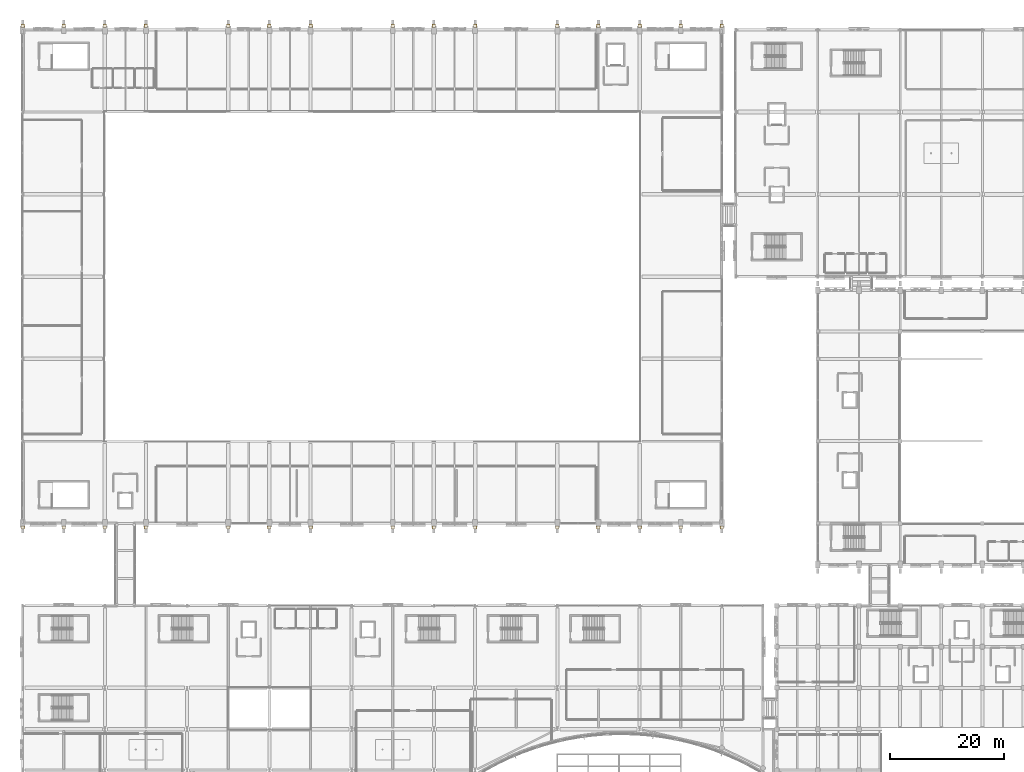
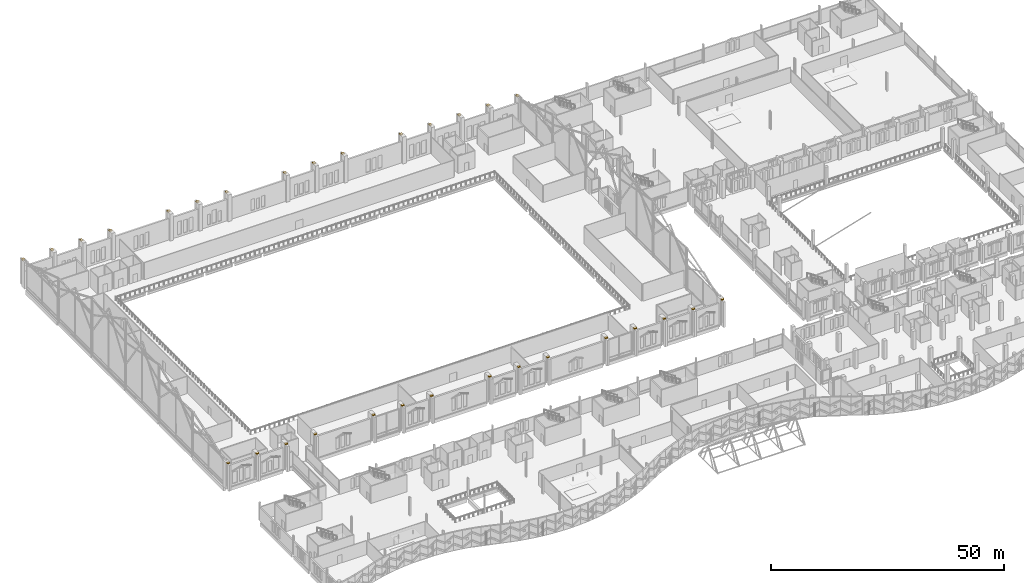
# One storey, part 220 of 220: 30 coverings.
"""IFC4 building model written with IfcOpenShell, lengths in metres."""

import ifcopenshell
import ifcopenshell.guid

model = None  # the IFC model being written
_history = None  # IfcOwnerHistory: only IFC2X3 demands one
_inside = {}  # id of a spatial element -> (the spatial element, [elements in it])
_under = {}  # id of a project, library or spatial element -> (it, [spatial elements below it])
_declared = {}  # id of a project -> (the project, [libraries it declares])
_typed = {}  # id of a type object -> (the type object, [elements of that type])
_made_of = {}  # id of a material, layer set ... -> (it, [elements and type objects made of it])


def new_model(schema):
    """Start an empty IFC model of exactly this schema.

    Asked for "IFC4X3", IfcOpenShell would pick the latest addendum, in which some entities
    have other attributes; the version numbers below select the first issue.
    IFC2X3 requires an IfcOwnerHistory on every rooted entity: one is made here for all.
    """
    global model, _history
    if schema == "IFC4X3":
        model = ifcopenshell.file(schema_version=(4, 3, 0, 0))
    else:
        model = ifcopenshell.file(schema=schema)
    _inside.clear()
    _under.clear()
    _declared.clear()
    _typed.clear()
    _made_of.clear()
    _history = None
    if model.schema == "IFC2X3":
        org = make("IfcOrganization", Name="unknown")
        user = make(
            "IfcPersonAndOrganization",
            ThePerson=make("IfcPerson", FamilyName="unknown"),
            TheOrganization=org,
        )
        app = make(
            "IfcApplication",
            ApplicationDeveloper=org,
            Version="unknown",
            ApplicationFullName="unknown",
            ApplicationIdentifier="unknown",
        )
        _history = make(
            "IfcOwnerHistory",
            OwningUser=user,
            OwningApplication=app,
            ChangeAction="ADDED",
            CreationDate=0,
        )
    return model


def make(cls, **values):
    """One entity of the class cls with the attributes given. An attribute that is None is left unset."""
    return model.create_entity(
        cls, **{name: value for name, value in values.items() if value is not None}
    )


def rooted(cls, **values):
    """An entity with a GlobalId (a new one), such as an element, a storey or a relation."""
    return make(cls, GlobalId=ifcopenshell.guid.new(), OwnerHistory=_history, **values)


def si_unit(unit_type, name, prefix=None):
    """IfcSIUnit, for example si_unit("LENGTHUNIT", "METRE", prefix="MILLI")."""
    return make("IfcSIUnit", UnitType=unit_type, Prefix=prefix, Name=name)


def assignment(units):
    """IfcUnitAssignment: the units of a project."""
    return None if units is None else make("IfcUnitAssignment", Units=units)


def point(xyz):
    """IfcCartesianPoint."""
    return None if xyz is None else make("IfcCartesianPoint", Coordinates=xyz)


def direction(xyz):
    """IfcDirection."""
    return None if xyz is None else make("IfcDirection", DirectionRatios=xyz)


def frame(location, z_axis=None, x_axis=None):
    """IfcAxis2Placement3D, a coordinate frame: its origin and axes. An axis left out is left unset."""
    return make(
        "IfcAxis2Placement3D",
        Location=point(location),
        Axis=direction(z_axis),
        RefDirection=direction(x_axis),
    )


def origin():
    """The frame at (0, 0, 0) with its axes left unset."""
    return frame((0.0, 0.0, 0.0))


def place(relative_to, where):
    """IfcLocalPlacement: puts the frame where relative to a parent placement (None: the world)."""
    return make(
        "IfcLocalPlacement", PlacementRelTo=relative_to, RelativePlacement=where
    )


def context(
    kind, dimensions, precision=None, world=None, true_north=None, identifier=None
):
    """IfcGeometricRepresentationContext, for example the 3D "Model" context."""
    return make(
        "IfcGeometricRepresentationContext",
        ContextIdentifier=identifier,
        ContextType=kind,
        CoordinateSpaceDimension=dimensions,
        Precision=precision,
        WorldCoordinateSystem=world,
        TrueNorth=true_north,
    )


def subcontext(parent, identifier, kind, view, scale=None):
    """IfcGeometricRepresentationSubContext, for example "Body" below "Model"."""
    return make(
        "IfcGeometricRepresentationSubContext",
        ContextIdentifier=identifier,
        ContextType=kind,
        ParentContext=parent,
        TargetScale=scale,
        TargetView=view,
    )


def project(units=None, contexts=None):
    """IfcProject with its units and contexts."""
    return rooted(
        "IfcProject",
        Name="project",
        RepresentationContexts=contexts,
        UnitsInContext=assignment(units),
    )


def spatial(cls, under=None, at=None, **own):
    """A site, building, storey or space (cls), placed at a placement, below another one or the project."""
    s = rooted(cls, ObjectPlacement=at, **own)
    if under is not None:
        _under.setdefault(under.id(), (under, []))[1].append(s)
    return s


def polyline(points):
    """IfcPolyline through the points."""
    return make("IfcPolyline", Points=[point(p) for p in points])


def outline(outer, holes=None, kind="AREA"):
    """IfcArbitraryClosedProfileDef: a profile drawn as a closed curve; with holes, ...WithVoids."""
    if holes is None:
        return make("IfcArbitraryClosedProfileDef", ProfileType=kind, OuterCurve=outer)
    return make(
        "IfcArbitraryProfileDefWithVoids",
        ProfileType=kind,
        OuterCurve=outer,
        InnerCurves=holes,
    )


def extrude(swept, where, along, depth):
    """IfcExtrudedAreaSolid: the profile swept, set in the frame where, extruded along a direction by depth."""
    return make(
        "IfcExtrudedAreaSolid",
        SweptArea=swept,
        Position=where,
        ExtrudedDirection=direction(along),
        Depth=depth,
    )


def shape(context_of_items, identifier, shape_type, items):
    """IfcShapeRepresentation: the items that make up one representation, for example the "Body"."""
    return make(
        "IfcShapeRepresentation",
        ContextOfItems=context_of_items,
        RepresentationIdentifier=identifier,
        RepresentationType=shape_type,
        Items=items,
    )


def material(Name=None, Category=None):
    """IfcMaterial."""
    return make("IfcMaterial", Name=Name, Category=Category)


def layer(
    of_material, thickness, ventilated=None, Name=None, Category=None, Priority=None
):
    """IfcMaterialLayer: one layer of a wall or slab, of a material (None: an air gap)."""
    return make(
        "IfcMaterialLayer",
        Material=of_material,
        LayerThickness=thickness,
        IsVentilated=ventilated,
        Name=Name,
        Category=Category,
        Priority=Priority,
    )


def layer_set(layers, Name=None):
    """IfcMaterialLayerSet."""
    return make("IfcMaterialLayerSet", MaterialLayers=layers, LayerSetName=Name)


def made_of(thing, what):
    """Note that an element or type object is made of a material, layer set ...; save() writes the relation."""
    if what is not None:
        _made_of.setdefault(what.id(), (what, []))[1].append(thing)
    return thing


def type_object(cls, material=None, **own):
    """A type object (cls), such as IfcWallType, which elements share."""
    return made_of(rooted(cls, **own), material)


def element(
    cls,
    number,
    at=None,
    inside=None,
    cuts=None,
    type_object=None,
    material=None,
    context=None,
    identifier="Body",
    shape_type=None,
    held_by="IfcProductDefinitionShape",
    body=None,
    shapes=None,
    **own,
):
    """One element of the class cls, such as IfcWall. Its Tag is "e" and its number.

    at: its placement. inside: the storey or other place that contains it. cuts: it is an
    opening in that element (IfcRelVoidsElement). A single representation is given by context,
    identifier, shape_type and body (its items); several are given by shapes. held_by: the class
    of the entity that holds the representations. save() writes the other relations.
    """
    e = rooted(cls, Tag="e%d" % number, ObjectPlacement=at, **own)
    if body is not None:
        shapes = [shape(context, identifier, shape_type, body)]
    if shapes is not None:
        e.Representation = make(held_by, Representations=shapes)
    if inside is not None:
        _inside.setdefault(inside.id(), (inside, []))[1].append(e)
    if cuts is not None:
        rooted(
            "IfcRelVoidsElement", RelatingBuildingElement=cuts, RelatedOpeningElement=e
        )
    if type_object is not None:
        _typed.setdefault(type_object.id(), (type_object, []))[1].append(e)
    return made_of(e, material)


def aggregate(whole, parts):
    """IfcRelAggregates: a whole, such as a stair, and the parts it consists of."""
    return rooted("IfcRelAggregates", RelatingObject=whole, RelatedObjects=parts)


def save(model, path):
    """Write the relations noted so far, then the file.

    IfcRelAggregates (storeys below a building ...), IfcRelContainedInSpatialStructure (elements
    in a storey), IfcRelDefinesByType, IfcRelAssociatesMaterial and IfcRelDeclares: one each for
    every whole, place, type object, material and project.
    """
    for whole, parts in _under.values():
        aggregate(whole, parts)
    for where, things in _inside.values():
        rooted(
            "IfcRelContainedInSpatialStructure",
            RelatedElements=things,
            RelatingStructure=where,
        )
    for kind, things in _typed.values():
        rooted("IfcRelDefinesByType", RelatedObjects=things, RelatingType=kind)
    for what, things in _made_of.values():
        rooted("IfcRelAssociatesMaterial", RelatedObjects=things, RelatingMaterial=what)
    for by, libraries in _declared.values():
        rooted("IfcRelDeclares", RelatingContext=by, RelatedDefinitions=libraries)
    model.write(path)


model = new_model("IFC4")

# Units and contexts
model_context = context("Model", 3, precision=1e-05, world=origin(), true_north=direction((0.0, 1.0)))
body_context = subcontext(model_context, "Body", "Model", "MODEL_VIEW")
ifc_project = project(units=[si_unit("LENGTHUNIT", "METRE"), si_unit("AREAUNIT", "SQUARE_METRE"), si_unit("VOLUMEUNIT", "CUBIC_METRE"), si_unit("PLANEANGLEUNIT", "RADIAN"), si_unit("MASSUNIT", "GRAM", prefix="KILO")], contexts=[model_context])

# Site, building, storey
site_placement = place(None, origin())
site = spatial("IfcSite", under=ifc_project, at=site_placement, CompositionType="ELEMENT")
building_placement = place(site_placement, origin())
building = spatial("IfcBuilding", under=site, at=building_placement, Name="Cendralis Lancet Convention Centre", CompositionType="ELEMENT")
storey_placement = place(building_placement, frame((0.0, 0.0, 5.39990234375)))
storey = spatial("IfcBuildingStorey", under=building, at=storey_placement, Name="L01", CompositionType="ELEMENT", Elevation=5.39990234375)

# Coverings
ifc_material = material(Name="Dark Andean slate chevron cassette", Category="masonry")
ifc_layer = layer(ifc_material, 0.06005859375, Name="Dark Andean slate chevron cassette")
ifc_layer_set = layer_set([ifc_layer], Name="Dark Andean slate chevron cassette")
covering_type = type_object("IfcCoveringType", Name="ARC-CV-CLAD2", PredefinedType="CLADDING", material=ifc_layer_set)
covering_1_placement = place(storey_placement, frame((0.0, 0.0, 6.7001953125)))
element("IfcCovering", 1, at=covering_1_placement, inside=storey, type_object=covering_type, Name="Gothic Buttress Slate Pinnacle Cap #0001", PredefinedType="CLADDING", context=body_context, shape_type="SweptSolid", body=[
    extrude(outline(polyline([(-0.31005859375, 49.389892578125), (0.31005859375, 49.389892578125), (0.31005859375, 49.97998046875), (-0.31005859375, 49.97998046875), (-0.31005859375, 49.389892578125)])), origin(), (0.0, 0.0, 1.0), 0.260009765625),
])
covering_2_placement = place(storey_placement, frame((0.0, 0.0, 6.7001953125)))
element("IfcCovering", 2, at=covering_2_placement, inside=storey, type_object=covering_type, Name="Gothic Buttress Slate Pinnacle Cap #0002", PredefinedType="CLADDING", context=body_context, shape_type="SweptSolid", body=[
    extrude(outline(polyline([(0.31005859375, 137.81005859375), (-0.31005859375, 137.81005859375), (-0.31005859375, 137.219970703125), (0.31005859375, 137.219970703125), (0.31005859375, 137.81005859375)])), origin(), (0.0, 0.0, 1.0), 0.260009765625),
])
covering_3_placement = place(storey_placement, frame((0.0, 0.0, 6.7001953125)))
element("IfcCovering", 3, at=covering_3_placement, inside=storey, type_object=covering_type, Name="Gothic Buttress Slate Pinnacle Cap #0003", PredefinedType="CLADDING", context=body_context, shape_type="SweptSolid", body=[
    extrude(outline(polyline([(6.889892578125, 49.389892578125), (7.510009765625, 49.389892578125), (7.510009765625, 49.97998046875), (6.889892578125, 49.97998046875), (6.889892578125, 49.389892578125)])), origin(), (0.0, 0.0, 1.0), 0.260009765625),
])
covering_4_placement = place(storey_placement, frame((0.0, 0.0, 6.7001953125)))
element("IfcCovering", 4, at=covering_4_placement, inside=storey, type_object=covering_type, Name="Gothic Buttress Slate Pinnacle Cap #0004", PredefinedType="CLADDING", context=body_context, shape_type="SweptSolid", body=[
    extrude(outline(polyline([(7.510009765625, 137.81005859375), (6.889892578125, 137.81005859375), (6.889892578125, 137.219970703125), (7.510009765625, 137.219970703125), (7.510009765625, 137.81005859375)])), origin(), (0.0, 0.0, 1.0), 0.260009765625),
])
covering_5_placement = place(storey_placement, frame((0.0, 0.0, 6.7001953125)))
element("IfcCovering", 5, at=covering_5_placement, inside=storey, type_object=covering_type, Name="Gothic Buttress Slate Pinnacle Cap #0005", PredefinedType="CLADDING", context=body_context, shape_type="SweptSolid", body=[
    extrude(outline(polyline([(14.090087890625, 49.389892578125), (14.7099609375, 49.389892578125), (14.7099609375, 49.97998046875), (14.090087890625, 49.97998046875), (14.090087890625, 49.389892578125)])), origin(), (0.0, 0.0, 1.0), 0.260009765625),
])
covering_6_placement = place(storey_placement, frame((0.0, 0.0, 6.7001953125)))
element("IfcCovering", 6, at=covering_6_placement, inside=storey, type_object=covering_type, Name="Gothic Buttress Slate Pinnacle Cap #0006", PredefinedType="CLADDING", context=body_context, shape_type="SweptSolid", body=[
    extrude(outline(polyline([(14.7099609375, 137.81005859375), (14.090087890625, 137.81005859375), (14.090087890625, 137.219970703125), (14.7099609375, 137.219970703125), (14.7099609375, 137.81005859375)])), origin(), (0.0, 0.0, 1.0), 0.260009765625),
])
covering_7_placement = place(storey_placement, frame((0.0, 0.0, 6.7001953125)))
element("IfcCovering", 7, at=covering_7_placement, inside=storey, type_object=covering_type, Name="Gothic Buttress Slate Pinnacle Cap #0007", PredefinedType="CLADDING", context=body_context, shape_type="SweptSolid", body=[
    extrude(outline(polyline([(21.2900390625, 49.389892578125), (21.909912109375, 49.389892578125), (21.909912109375, 49.97998046875), (21.2900390625, 49.97998046875), (21.2900390625, 49.389892578125)])), origin(), (0.0, 0.0, 1.0), 0.260009765625),
])
covering_8_placement = place(storey_placement, frame((0.0, 0.0, 6.7001953125)))
element("IfcCovering", 8, at=covering_8_placement, inside=storey, type_object=covering_type, Name="Gothic Buttress Slate Pinnacle Cap #0008", PredefinedType="CLADDING", context=body_context, shape_type="SweptSolid", body=[
    extrude(outline(polyline([(21.909912109375, 137.81005859375), (21.2900390625, 137.81005859375), (21.2900390625, 137.219970703125), (21.909912109375, 137.219970703125), (21.909912109375, 137.81005859375)])), origin(), (0.0, 0.0, 1.0), 0.260009765625),
])
covering_9_placement = place(storey_placement, frame((0.0, 0.0, 6.7001953125)))
element("IfcCovering", 9, at=covering_9_placement, inside=storey, type_object=covering_type, Name="Gothic Buttress Slate Pinnacle Cap #0009", PredefinedType="CLADDING", context=body_context, shape_type="SweptSolid", body=[
    extrude(outline(polyline([(35.68994140625, 49.389892578125), (36.31005859375, 49.389892578125), (36.31005859375, 49.97998046875), (35.68994140625, 49.97998046875), (35.68994140625, 49.389892578125)])), origin(), (0.0, 0.0, 1.0), 0.260009765625),
])
covering_10_placement = place(storey_placement, frame((0.0, 0.0, 6.7001953125)))
element("IfcCovering", 10, at=covering_10_placement, inside=storey, type_object=covering_type, Name="Gothic Buttress Slate Pinnacle Cap #0010", PredefinedType="CLADDING", context=body_context, shape_type="SweptSolid", body=[
    extrude(outline(polyline([(36.31005859375, 137.81005859375), (35.68994140625, 137.81005859375), (35.68994140625, 137.219970703125), (36.31005859375, 137.219970703125), (36.31005859375, 137.81005859375)])), origin(), (0.0, 0.0, 1.0), 0.260009765625),
])
covering_11_placement = place(storey_placement, frame((0.0, 0.0, 6.7001953125)))
element("IfcCovering", 11, at=covering_11_placement, inside=storey, type_object=covering_type, Name="Gothic Buttress Slate Pinnacle Cap #0011", PredefinedType="CLADDING", context=body_context, shape_type="SweptSolid", body=[
    extrude(outline(polyline([(42.889892578125, 49.389892578125), (43.510009765625, 49.389892578125), (43.510009765625, 49.97998046875), (42.889892578125, 49.97998046875), (42.889892578125, 49.389892578125)])), origin(), (0.0, 0.0, 1.0), 0.260009765625),
])
covering_12_placement = place(storey_placement, frame((0.0, 0.0, 6.7001953125)))
element("IfcCovering", 12, at=covering_12_placement, inside=storey, type_object=covering_type, Name="Gothic Buttress Slate Pinnacle Cap #0012", PredefinedType="CLADDING", context=body_context, shape_type="SweptSolid", body=[
    extrude(outline(polyline([(43.510009765625, 137.81005859375), (42.889892578125, 137.81005859375), (42.889892578125, 137.219970703125), (43.510009765625, 137.219970703125), (43.510009765625, 137.81005859375)])), origin(), (0.0, 0.0, 1.0), 0.260009765625),
])
covering_13_placement = place(storey_placement, frame((0.0, 0.0, 6.7001953125)))
element("IfcCovering", 13, at=covering_13_placement, inside=storey, type_object=covering_type, Name="Gothic Buttress Slate Pinnacle Cap #0013", PredefinedType="CLADDING", context=body_context, shape_type="SweptSolid", body=[
    extrude(outline(polyline([(50.090087890625, 49.389892578125), (50.7099609375, 49.389892578125), (50.7099609375, 49.97998046875), (50.090087890625, 49.97998046875), (50.090087890625, 49.389892578125)])), origin(), (0.0, 0.0, 1.0), 0.260009765625),
])
covering_14_placement = place(storey_placement, frame((0.0, 0.0, 6.7001953125)))
element("IfcCovering", 14, at=covering_14_placement, inside=storey, type_object=covering_type, Name="Gothic Buttress Slate Pinnacle Cap #0014", PredefinedType="CLADDING", context=body_context, shape_type="SweptSolid", body=[
    extrude(outline(polyline([(50.7099609375, 137.81005859375), (50.090087890625, 137.81005859375), (50.090087890625, 137.219970703125), (50.7099609375, 137.219970703125), (50.7099609375, 137.81005859375)])), origin(), (0.0, 0.0, 1.0), 0.260009765625),
])
covering_15_placement = place(storey_placement, frame((0.0, 0.0, 6.7001953125)))
element("IfcCovering", 15, at=covering_15_placement, inside=storey, type_object=covering_type, Name="Gothic Buttress Slate Pinnacle Cap #0015", PredefinedType="CLADDING", context=body_context, shape_type="SweptSolid", body=[
    extrude(outline(polyline([(64.489990234375, 49.389892578125), (65.110107421875, 49.389892578125), (65.110107421875, 49.97998046875), (64.489990234375, 49.97998046875), (64.489990234375, 49.389892578125)])), origin(), (0.0, 0.0, 1.0), 0.260009765625),
])
covering_16_placement = place(storey_placement, frame((0.0, 0.0, 6.7001953125)))
element("IfcCovering", 16, at=covering_16_placement, inside=storey, type_object=covering_type, Name="Gothic Buttress Slate Pinnacle Cap #0016", PredefinedType="CLADDING", context=body_context, shape_type="SweptSolid", body=[
    extrude(outline(polyline([(65.110107421875, 137.81005859375), (64.489990234375, 137.81005859375), (64.489990234375, 137.219970703125), (65.110107421875, 137.219970703125), (65.110107421875, 137.81005859375)])), origin(), (0.0, 0.0, 1.0), 0.260009765625),
])
covering_17_placement = place(storey_placement, frame((0.0, 0.0, 6.7001953125)))
element("IfcCovering", 17, at=covering_17_placement, inside=storey, type_object=covering_type, Name="Gothic Buttress Slate Pinnacle Cap #0017", PredefinedType="CLADDING", context=body_context, shape_type="SweptSolid", body=[
    extrude(outline(polyline([(71.68994140625, 49.389892578125), (72.31005859375, 49.389892578125), (72.31005859375, 49.97998046875), (71.68994140625, 49.97998046875), (71.68994140625, 49.389892578125)])), origin(), (0.0, 0.0, 1.0), 0.260009765625),
])
covering_18_placement = place(storey_placement, frame((0.0, 0.0, 6.7001953125)))
element("IfcCovering", 18, at=covering_18_placement, inside=storey, type_object=covering_type, Name="Gothic Buttress Slate Pinnacle Cap #0018", PredefinedType="CLADDING", context=body_context, shape_type="SweptSolid", body=[
    extrude(outline(polyline([(72.31005859375, 137.81005859375), (71.68994140625, 137.81005859375), (71.68994140625, 137.219970703125), (72.31005859375, 137.219970703125), (72.31005859375, 137.81005859375)])), origin(), (0.0, 0.0, 1.0), 0.260009765625),
])
covering_19_placement = place(storey_placement, frame((0.0, 0.0, 6.7001953125)))
element("IfcCovering", 19, at=covering_19_placement, inside=storey, type_object=covering_type, Name="Gothic Buttress Slate Pinnacle Cap #0019", PredefinedType="CLADDING", context=body_context, shape_type="SweptSolid", body=[
    extrude(outline(polyline([(78.889892578125, 49.389892578125), (79.510009765625, 49.389892578125), (79.510009765625, 49.97998046875), (78.889892578125, 49.97998046875), (78.889892578125, 49.389892578125)])), origin(), (0.0, 0.0, 1.0), 0.260009765625),
])
covering_20_placement = place(storey_placement, frame((0.0, 0.0, 6.7001953125)))
element("IfcCovering", 20, at=covering_20_placement, inside=storey, type_object=covering_type, Name="Gothic Buttress Slate Pinnacle Cap #0020", PredefinedType="CLADDING", context=body_context, shape_type="SweptSolid", body=[
    extrude(outline(polyline([(79.510009765625, 137.81005859375), (78.889892578125, 137.81005859375), (78.889892578125, 137.219970703125), (79.510009765625, 137.219970703125), (79.510009765625, 137.81005859375)])), origin(), (0.0, 0.0, 1.0), 0.260009765625),
])
covering_21_placement = place(storey_placement, frame((0.0, 0.0, 6.7001953125)))
element("IfcCovering", 21, at=covering_21_placement, inside=storey, type_object=covering_type, Name="Gothic Buttress Slate Pinnacle Cap #0021", PredefinedType="CLADDING", context=body_context, shape_type="SweptSolid", body=[
    extrude(outline(polyline([(93.2900390625, 49.389892578125), (93.909912109375, 49.389892578125), (93.909912109375, 49.97998046875), (93.2900390625, 49.97998046875), (93.2900390625, 49.389892578125)])), origin(), (0.0, 0.0, 1.0), 0.260009765625),
])
covering_22_placement = place(storey_placement, frame((0.0, 0.0, 6.7001953125)))
element("IfcCovering", 22, at=covering_22_placement, inside=storey, type_object=covering_type, Name="Gothic Buttress Slate Pinnacle Cap #0022", PredefinedType="CLADDING", context=body_context, shape_type="SweptSolid", body=[
    extrude(outline(polyline([(93.909912109375, 137.81005859375), (93.2900390625, 137.81005859375), (93.2900390625, 137.219970703125), (93.909912109375, 137.219970703125), (93.909912109375, 137.81005859375)])), origin(), (0.0, 0.0, 1.0), 0.260009765625),
])
covering_23_placement = place(storey_placement, frame((0.0, 0.0, 6.7001953125)))
element("IfcCovering", 23, at=covering_23_placement, inside=storey, type_object=covering_type, Name="Gothic Buttress Slate Pinnacle Cap #0023", PredefinedType="CLADDING", context=body_context, shape_type="SweptSolid", body=[
    extrude(outline(polyline([(100.489990234375, 49.389892578125), (101.110107421875, 49.389892578125), (101.110107421875, 49.97998046875), (100.489990234375, 49.97998046875), (100.489990234375, 49.389892578125)])), origin(), (0.0, 0.0, 1.0), 0.260009765625),
])
covering_24_placement = place(storey_placement, frame((0.0, 0.0, 6.7001953125)))
element("IfcCovering", 24, at=covering_24_placement, inside=storey, type_object=covering_type, Name="Gothic Buttress Slate Pinnacle Cap #0024", PredefinedType="CLADDING", context=body_context, shape_type="SweptSolid", body=[
    extrude(outline(polyline([(101.110107421875, 137.81005859375), (100.489990234375, 137.81005859375), (100.489990234375, 137.219970703125), (101.110107421875, 137.219970703125), (101.110107421875, 137.81005859375)])), origin(), (0.0, 0.0, 1.0), 0.260009765625),
])
covering_25_placement = place(storey_placement, frame((0.0, 0.0, 6.7001953125)))
element("IfcCovering", 25, at=covering_25_placement, inside=storey, type_object=covering_type, Name="Gothic Buttress Slate Pinnacle Cap #0025", PredefinedType="CLADDING", context=body_context, shape_type="SweptSolid", body=[
    extrude(outline(polyline([(107.68994140625, 49.389892578125), (108.31005859375, 49.389892578125), (108.31005859375, 49.97998046875), (107.68994140625, 49.97998046875), (107.68994140625, 49.389892578125)])), origin(), (0.0, 0.0, 1.0), 0.260009765625),
])
covering_26_placement = place(storey_placement, frame((0.0, 0.0, 6.7001953125)))
element("IfcCovering", 26, at=covering_26_placement, inside=storey, type_object=covering_type, Name="Gothic Buttress Slate Pinnacle Cap #0026", PredefinedType="CLADDING", context=body_context, shape_type="SweptSolid", body=[
    extrude(outline(polyline([(108.31005859375, 137.81005859375), (107.68994140625, 137.81005859375), (107.68994140625, 137.219970703125), (108.31005859375, 137.219970703125), (108.31005859375, 137.81005859375)])), origin(), (0.0, 0.0, 1.0), 0.260009765625),
])
covering_27_placement = place(storey_placement, frame((0.0, 0.0, 6.7001953125)))
element("IfcCovering", 27, at=covering_27_placement, inside=storey, type_object=covering_type, Name="Gothic Buttress Slate Pinnacle Cap #0027", PredefinedType="CLADDING", context=body_context, shape_type="SweptSolid", body=[
    extrude(outline(polyline([(114.889892578125, 49.389892578125), (115.510009765625, 49.389892578125), (115.510009765625, 49.97998046875), (114.889892578125, 49.97998046875), (114.889892578125, 49.389892578125)])), origin(), (0.0, 0.0, 1.0), 0.260009765625),
])
covering_28_placement = place(storey_placement, frame((0.0, 0.0, 6.7001953125)))
element("IfcCovering", 28, at=covering_28_placement, inside=storey, type_object=covering_type, Name="Gothic Buttress Slate Pinnacle Cap #0028", PredefinedType="CLADDING", context=body_context, shape_type="SweptSolid", body=[
    extrude(outline(polyline([(115.510009765625, 137.81005859375), (114.889892578125, 137.81005859375), (114.889892578125, 137.219970703125), (115.510009765625, 137.219970703125), (115.510009765625, 137.81005859375)])), origin(), (0.0, 0.0, 1.0), 0.260009765625),
])
covering_29_placement = place(storey_placement, frame((0.0, 0.0, 6.7001953125)))
element("IfcCovering", 29, at=covering_29_placement, inside=storey, type_object=covering_type, Name="Gothic Buttress Slate Pinnacle Cap #0029", PredefinedType="CLADDING", context=body_context, shape_type="SweptSolid", body=[
    extrude(outline(polyline([(122.090087890625, 49.389892578125), (122.7099609375, 49.389892578125), (122.7099609375, 49.97998046875), (122.090087890625, 49.97998046875), (122.090087890625, 49.389892578125)])), origin(), (0.0, 0.0, 1.0), 0.260009765625),
])
covering_30_placement = place(storey_placement, frame((0.0, 0.0, 6.7001953125)))
element("IfcCovering", 30, at=covering_30_placement, inside=storey, type_object=covering_type, Name="Gothic Buttress Slate Pinnacle Cap #0030", PredefinedType="CLADDING", context=body_context, shape_type="SweptSolid", body=[
    extrude(outline(polyline([(122.7099609375, 137.81005859375), (122.090087890625, 137.81005859375), (122.090087890625, 137.219970703125), (122.7099609375, 137.219970703125), (122.7099609375, 137.81005859375)])), origin(), (0.0, 0.0, 1.0), 0.260009765625),
])

save(model, "model.ifc")
